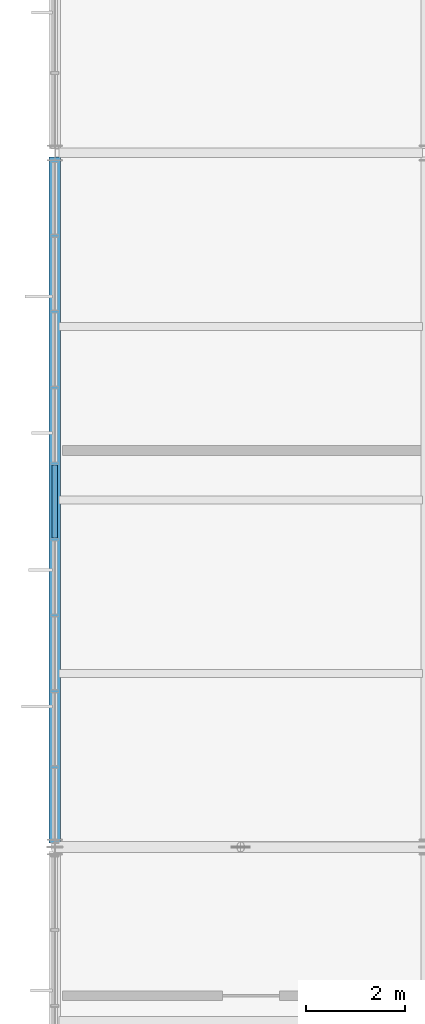
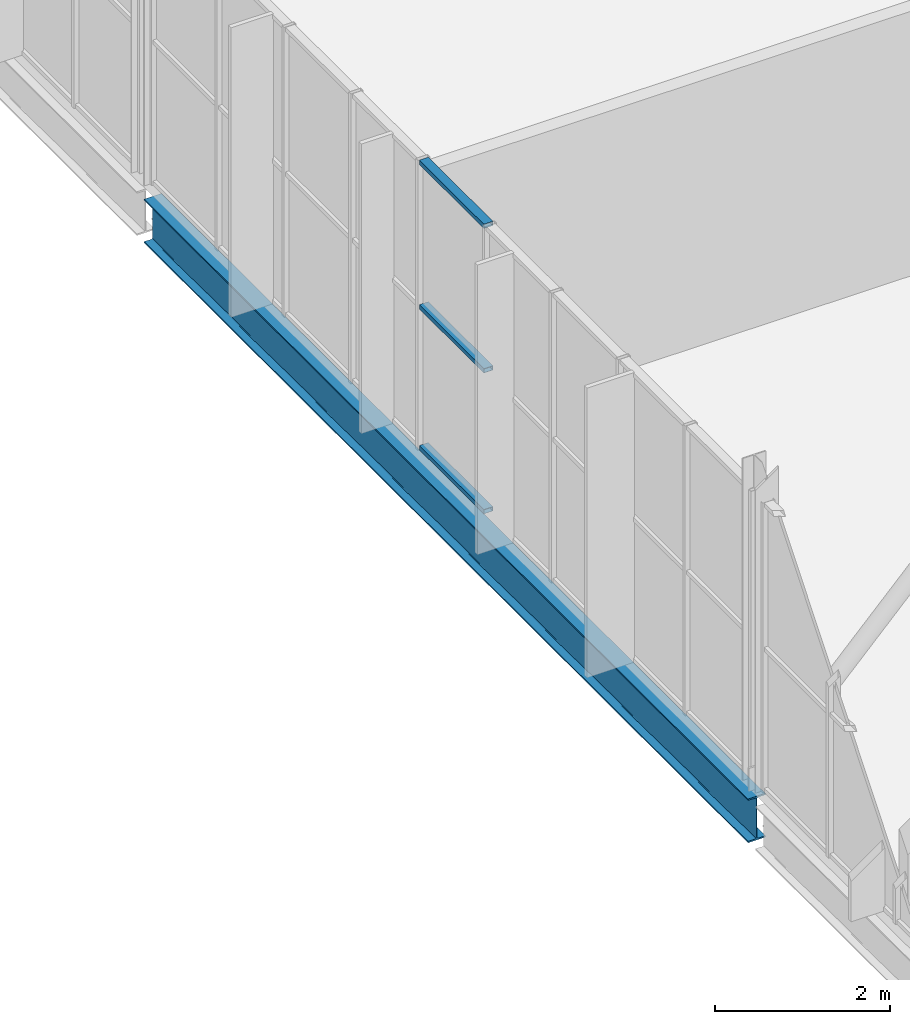
# One storey, part 37 of 324: 3 members, 1 beam, 1 element without a shape of its own.
"""IFC4 building model written with IfcOpenShell, lengths in metres."""

from ifc_helpers import new_model, si_unit, direction, frame, origin, origin_2d, place, context, subcontext, project, spatial, hollow_rectangle, i_section, extrude, material, layer, layer_set, material_profile, profile_set, type_object, element, aggregate, save


model = new_model("IFC4")

# Units and contexts
model_context = context("Model", 3, precision=1e-05, world=origin(), true_north=direction((0.0, 1.0)))
body_context = subcontext(model_context, "Body", "Model", "MODEL_VIEW")
ifc_project = project(units=[si_unit("LENGTHUNIT", "METRE"), si_unit("AREAUNIT", "SQUARE_METRE"), si_unit("VOLUMEUNIT", "CUBIC_METRE"), si_unit("PLANEANGLEUNIT", "RADIAN"), si_unit("MASSUNIT", "GRAM", prefix="KILO")], contexts=[model_context])

# Site, building, storey
site_placement = place(None, origin())
site = spatial("IfcSite", under=ifc_project, at=site_placement, CompositionType="ELEMENT")
building_placement = place(site_placement, origin())
building = spatial("IfcBuilding", under=site, at=building_placement, Name="Solvenia Promenade Tram Depot", CompositionType="ELEMENT")
storey_placement = place(building_placement, frame((0.0, 0.0, 4.5)))
storey = spatial("IfcBuildingStorey", under=building, at=storey_placement, Name="L01", CompositionType="ELEMENT", Elevation=4.5)

# Curtain wall, members
ifc_material_1 = material(Name="Anodized aluminium AW-6063 T6", Category="aluminium")
ifc_layer = layer(ifc_material_1, 0.1201171875, Name="Anodized aluminium AW-6063 T6", Category="aluminium")
ifc_layer_set = layer_set([ifc_layer], Name="Anodized aluminium AW-6063 T6")
curtain_wall_type = type_object("IfcCurtainWallType", Name="CW-Wash-1500", PredefinedType="NOTDEFINED", material=ifc_layer_set)
curtain_wall_placement = place(storey_placement, origin())
curtain_wall = element("IfcCurtainWall", 1, at=curtain_wall_placement, inside=storey, type_object=curtain_wall_type, Name="Curtain Wall CW-V3-W-L1-2", PredefinedType="NOTDEFINED")
ifc_material_profile_1 = material_profile(ifc_material_1, hollow_rectangle(XDim=0.1201171875, YDim=0.06005859375, WallThickness=0.00390625, at=origin_2d()), Name="ALU-T1", Category="aluminium")
ifc_profile_set_1 = profile_set([ifc_material_profile_1], Name="Anodized aluminium AW-6063 T6")
member_type = type_object("IfcMemberType", Name="CWT-Transom-1", PredefinedType="USERDEFINED", material=ifc_profile_set_1)
member_1_placement = place(storey_placement, frame((0.0, 44.23046875, 0.030029296875), z_axis=(0.0, 1.0, 0.0), x_axis=(-1.0, 0.0, 0.0)))
member_1 = element("IfcMember", 2, at=member_1_placement, type_object=member_type, Name="CW-10 transom 5.1", ObjectType="TRANSOM", PredefinedType="USERDEFINED", context=body_context, shape_type="SweptSolid", body=[
    extrude(hollow_rectangle(XDim=0.1201171875, YDim=0.06005859375, WallThickness=0.00390625, at=origin_2d()), origin(), (0.0, 0.0, 1.0), 1.47900390625),
])
member_2_placement = place(storey_placement, frame((0.0, 44.23046875, 2.0), z_axis=(0.0, 1.0, 0.0), x_axis=(-1.0, 0.0, 0.0)))
member_2 = element("IfcMember", 3, at=member_2_placement, type_object=member_type, Name="CW-10 transom 5.2", ObjectType="TRANSOM", PredefinedType="USERDEFINED", context=body_context, shape_type="SweptSolid", body=[
    extrude(hollow_rectangle(XDim=0.1201171875, YDim=0.06005859375, WallThickness=0.00390625, at=origin_2d()), origin(), (0.0, 0.0, 1.0), 1.47900390625),
])
member_3_placement = place(storey_placement, frame((0.0, 44.23046875, 4.02001953125), z_axis=(0.0, 1.0, 0.0), x_axis=(-1.0, 0.0, 0.0)))
member_3 = element("IfcMember", 4, at=member_3_placement, type_object=member_type, Name="CW-10 transom 5.3", ObjectType="TRANSOM", PredefinedType="USERDEFINED", context=body_context, shape_type="SweptSolid", body=[
    extrude(hollow_rectangle(XDim=0.1201171875, YDim=0.06005859375, WallThickness=0.00390625, at=origin_2d()), origin(), (0.0, 0.0, 1.0), 1.47900390625),
])
aggregate(curtain_wall, [member_1, member_2, member_3])

# Beam
ifc_material_2 = material(Name="Structural steel ASTM A992 Gr. 50", Category="steel")
ifc_material_profile_2 = material_profile(ifc_material_2, i_section(OverallWidth=0.22900390625, OverallDepth=0.612060546875, WebThickness=0.011962890625, FlangeThickness=0.01953125, FilletRadius=0.014892578125, at=origin_2d()), Name="W610x125", Category="steel")
ifc_profile_set_2 = profile_set([ifc_material_profile_2], Name="Structural steel ASTM A992 Gr. 50")
beam_type = type_object("IfcBeamType", Name="Gird-W610x125", PredefinedType="BEAM", material=ifc_profile_set_2)
beam_placement = place(storey_placement, frame((0.0, 38.0849609375, -0.5458984375), z_axis=(0.0, 1.0, 0.0), x_axis=(-1.0, 0.0, 0.0)))
element("IfcBeam", 5, at=beam_placement, inside=storey, type_object=beam_type, Name="Transverse Girder BM-L01-0230", PredefinedType="BEAM", context=body_context, shape_type="SweptSolid", body=[
    extrude(i_section(OverallWidth=0.22900390625, OverallDepth=0.612060546875, WebThickness=0.011962890625, FlangeThickness=0.01953125, FilletRadius=0.014892578125, at=origin_2d()), origin(), (0.0, 0.0, 1.0), 13.830078125),
])

save(model, "model.ifc")
